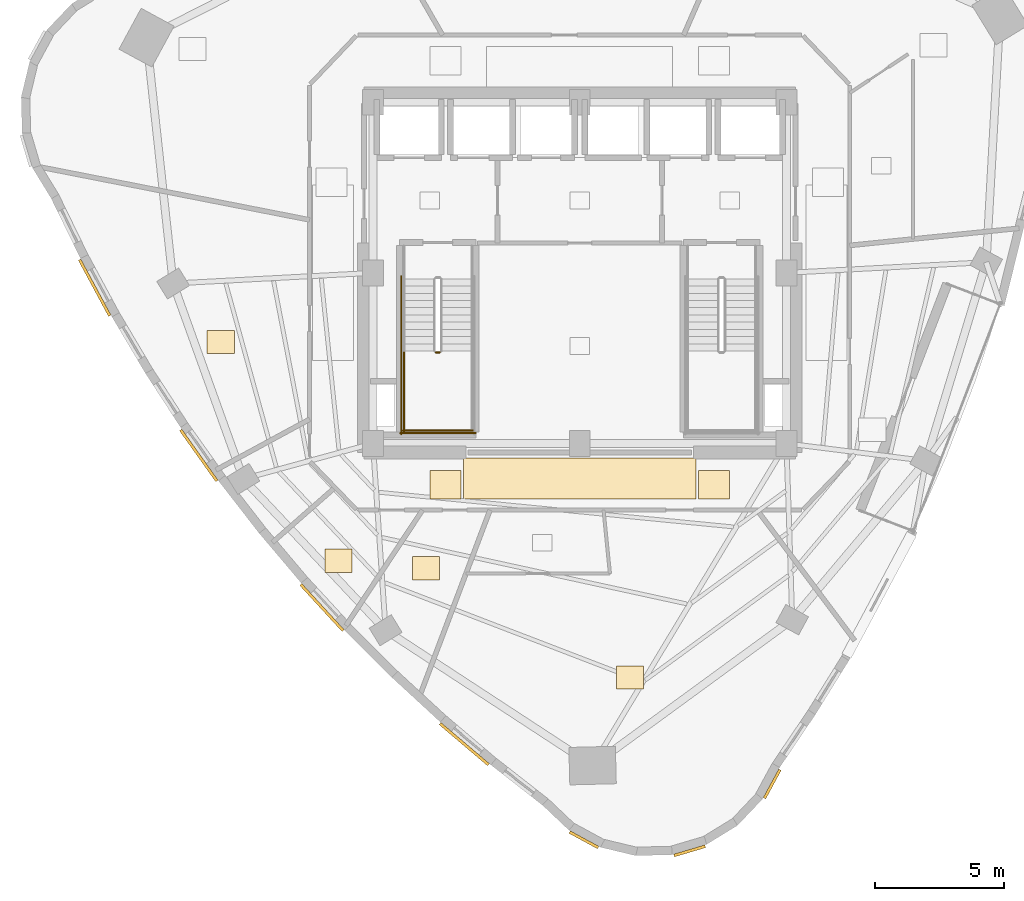
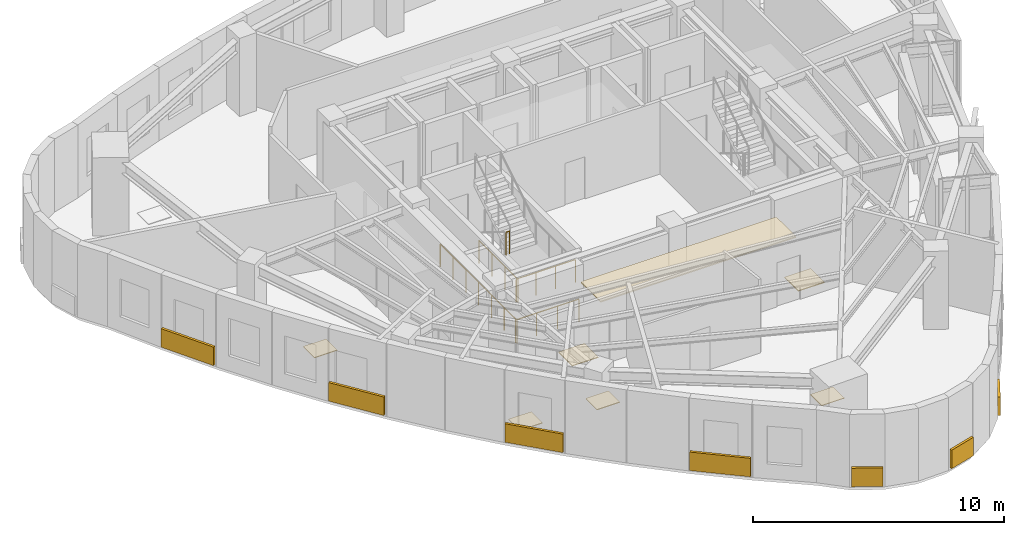
# One storey, part 8 of 10: 14 coverings, 5 railings.
"""IFC4 building model written with IfcOpenShell, lengths in metres."""

from ifc_helpers import new_model, si_unit, direction, frame, origin, origin_2d, place, context, subcontext, project, spatial, rectangle, circle, extrude, material, layer, layer_set, type_object, element, save


model = new_model("IFC4")

# Units and contexts
model_context = context("Model", 3, precision=1e-05, world=origin(), true_north=direction((0.0, 1.0)))
body_context = subcontext(model_context, "Body", "Model", "MODEL_VIEW")
ifc_project = project(units=[si_unit("LENGTHUNIT", "METRE"), si_unit("AREAUNIT", "SQUARE_METRE"), si_unit("VOLUMEUNIT", "CUBIC_METRE"), si_unit("PLANEANGLEUNIT", "RADIAN"), si_unit("MASSUNIT", "GRAM", prefix="KILO")], contexts=[model_context])

# Site, building, storey
site_placement = place(None, origin())
site = spatial("IfcSite", under=ifc_project, at=site_placement, CompositionType="ELEMENT")
building_placement = place(site_placement, origin())
building = spatial("IfcBuilding", under=site, at=building_placement, Name="Ndelora Gate Hotel", CompositionType="ELEMENT")
storey_placement = place(building_placement, frame((0.0, 0.0, 239.75)))
storey = spatial("IfcBuildingStorey", under=building, at=storey_placement, Name="L60", CompositionType="ELEMENT", Elevation=239.75)

# Coverings
ifc_material_1 = material(Name="Perforated Acoustic Gypsum Board", Category="gypsum")
ifc_layer_1 = layer(ifc_material_1, 0.054931640625)
ifc_layer_set_1 = layer_set([ifc_layer_1], Name="Perforated Acoustic Gypsum Board")
covering_type_1 = type_object("IfcCoveringType", Name="COV-CEIL-AC60", PredefinedType="CEILING", material=ifc_layer_set_1)
covering_1_placement = place(storey_placement, frame((0.0, -7.9599609375, 2.65234375), z_axis=(0.0, 0.0, 1.0), x_axis=(1.0, 0.0, 0.0)))
element("IfcCovering", 1, at=covering_1_placement, inside=storey, type_object=covering_type_1, Name="L60 Guest Corridor Acoustic Ceiling S", PredefinedType="CEILING", context=body_context, shape_type="SweptSolid", body=[
    extrude(rectangle(XDim=9.0, YDim=1.580078125, at=origin_2d()), origin(), (0.0, 0.0, 1.0), 0.054931640625),
])
ifc_material_2 = material(Name="Terracotta Fired Clay Brick Slip Cladding", Category="masonry")
ifc_layer_2 = layer(ifc_material_2, 0.110107421875)
ifc_layer_set_2 = layer_set([ifc_layer_2], Name="Terracotta Fired Clay Brick Slip Cladding")
covering_type_2 = type_object("IfcCoveringType", Name="COV-CLAD-BRK", PredefinedType="CLADDING", material=ifc_layer_set_2)
covering_2_placement = place(storey_placement, frame((-18.765380859375, -0.577392578125, 0.10009765625), z_axis=(0.0, 0.0, 1.0), x_axis=(-0.474241874114, 0.880394596097, 0.0)))
element("IfcCovering", 2, at=covering_2_placement, inside=storey, type_object=covering_type_2, Name="L60 Rounded-Corner Brick Cladding Band 10", PredefinedType="CLADDING", context=body_context, shape_type="SweptSolid", body=[
    extrude(rectangle(XDim=2.4599609375, YDim=0.110107421875, at=origin_2d()), origin(), (0.0, 0.0, 1.0), 0.89990234375),
])
covering_3_placement = place(storey_placement, frame((-14.739990234375, -7.063232421875, 0.10009765625), z_axis=(0.0, 0.0, 1.0), x_axis=(-0.579281172343, 0.815127795729, 0.0)))
element("IfcCovering", 3, at=covering_3_placement, inside=storey, type_object=covering_type_2, Name="L60 Rounded-Corner Brick Cladding Band 13", PredefinedType="CLADDING", context=body_context, shape_type="SweptSolid", body=[
    extrude(rectangle(XDim=2.4208984375, YDim=0.110107421875, at=origin_2d()), origin(), (0.0, 0.0, 1.0), 0.89990234375),
])
covering_4_placement = place(storey_placement, frame((-9.9736328125, -12.949462890625, 0.10009765625), z_axis=(0.0, 0.0, 1.0), x_axis=(-0.676875969683, 0.73609708712, 0.0)))
element("IfcCovering", 4, at=covering_4_placement, inside=storey, type_object=covering_type_2, Name="L60 Rounded-Corner Brick Cladding Band 16", PredefinedType="CLADDING", context=body_context, shape_type="SweptSolid", body=[
    extrude(rectangle(XDim=2.419921875, YDim=0.110107421875, at=origin_2d()), origin(), (0.0, 0.0, 1.0), 0.89990234375),
])
covering_5_placement = place(storey_placement, frame((-4.466552734375, -18.235107421875, 0.10009765625), z_axis=(0.0, 0.0, 1.0), x_axis=(-0.762555431968, 0.646922880393, 0.0)))
element("IfcCovering", 5, at=covering_5_placement, inside=storey, type_object=covering_type_2, Name="L60 Rounded-Corner Brick Cladding Band 19", PredefinedType="CLADDING", context=body_context, shape_type="SweptSolid", body=[
    extrude(rectangle(XDim=2.4599609375, YDim=0.110107421875, at=origin_2d()), origin(), (0.0, 0.0, 1.0), 0.89990234375),
])
covering_6_placement = place(storey_placement, frame((0.162109375, -21.9365234375, 0.10009765625), z_axis=(0.0, 0.0, 1.0), x_axis=(-0.878817112662, 0.47715876026, 0.0)))
element("IfcCovering", 6, at=covering_6_placement, inside=storey, type_object=covering_type_2, Name="L60 Rounded-Corner Brick Cladding Band 22", PredefinedType="CLADDING", context=body_context, shape_type="SweptSolid", body=[
    extrude(rectangle(XDim=1.257080078125, YDim=0.110107421875, at=origin_2d()), origin(), (0.0, 0.0, 1.0), 0.89990234375),
])
covering_7_placement = place(storey_placement, frame((4.252685546875, -22.366455078125, 0.10009765625), z_axis=(0.0, 0.0, 1.0), x_axis=(0.958819734868, 0.284015344704, 0.0)))
element("IfcCovering", 7, at=covering_7_placement, inside=storey, type_object=covering_type_2, Name="L60 Rounded-Corner Brick Cladding Band 25", PredefinedType="CLADDING", context=body_context, shape_type="SweptSolid", body=[
    extrude(rectangle(XDim=1.258056640625, YDim=0.110107421875, at=origin_2d()), origin(), (0.0, 0.0, 1.0), 0.89990234375),
])
covering_8_placement = place(storey_placement, frame((7.44921875, -19.778076171875, 0.10009765625), z_axis=(0.0, 0.0, 1.0), x_axis=(0.47715876026, 0.878817112662, 0.0)))
element("IfcCovering", 8, at=covering_8_placement, inside=storey, type_object=covering_type_2, Name="L60 Rounded-Corner Brick Cladding Band 28", PredefinedType="CLADDING", context=body_context, shape_type="SweptSolid", body=[
    extrude(rectangle(XDim=1.257080078125, YDim=0.110107421875, at=origin_2d()), origin(), (0.0, 0.0, 1.0), 0.89990234375),
])
ifc_material_3 = material(Name="Engineered Highland Oak Parquet", Category="wood")
ifc_layer_3 = layer(ifc_material_3, 0.030029296875)
ifc_layer_set_3 = layer_set([ifc_layer_3], Name="Engineered Highland Oak Parquet")
covering_type_3 = type_object("IfcCoveringType", Name="COV-FLR-PARQ", PredefinedType="FLOORING", material=ifc_layer_set_3)
for number, where, z_axis, x_axis, name in (
    (9, (1.947021484375, -15.656494140625, 0.0), (0.0, 0.0, 1.0), (1.0, 0.0, 0.0), "L60 Grand Highland Presidential Suite 6301 Oak Parquet Flooring"),
    (10, (-13.88671875, -2.67431640625, 0.0), (0.0, 0.0, 1.0), (1.0, 0.0, 0.0), "L60 Private Chef Service Kitchen Oak Parquet Flooring"),
    (11, (-9.330810546875, -11.140380859375, 0.0), (0.0, 0.0, 1.0), (1.0, 0.0, 0.0), "L60 Housekeeping and Linen Room Oak Parquet Flooring"),
    (12, (-5.94384765625, -11.4296875, 0.0), (0.0, 0.0, 1.0), (1.0, 0.0, 0.0), "L60 Accessible WC Oak Parquet Flooring"),
):
    element("IfcCovering", number, at=place(storey_placement, frame(where, z_axis=z_axis, x_axis=x_axis)), inside=storey, type_object=covering_type_3, Name=name, PredefinedType="FLOORING", context=body_context, shape_type="SweptSolid", body=[
        extrude(rectangle(XDim=1.050048828125, YDim=0.89990234375, at=origin_2d()), origin(), (0.0, 0.0, 1.0), 0.030029296875),
    ])
ifc_material_4 = material(Name="Polished Highland Stone Terrazzo", Category="masonry")
ifc_layer_4 = layer(ifc_material_4, 0.034912109375)
ifc_layer_set_4 = layer_set([ifc_layer_4], Name="Polished Highland Stone Terrazzo")
covering_type_4 = type_object("IfcCoveringType", Name="COV-FLR-TERZ", PredefinedType="FLOORING", material=ifc_layer_set_4)
for number, where, z_axis, x_axis, name in (
    (13, (-5.199951171875, -8.199951171875, 0.0), (0.0, 0.0, 1.0), (1.0, 0.0, 0.0), "L60 Corridor Threshold Terrazzo Inlay SW"),
    (14, (5.199951171875, -8.199951171875, 0.0), (0.0, 0.0, 1.0), (1.0, 0.0, 0.0), "L60 Corridor Threshold Terrazzo Inlay SE"),
):
    element("IfcCovering", number, at=place(storey_placement, frame(where, z_axis=z_axis, x_axis=x_axis)), inside=storey, type_object=covering_type_4, Name=name, PredefinedType="FLOORING", context=body_context, shape_type="SweptSolid", body=[
        extrude(rectangle(XDim=1.199951171875, YDim=1.10009765625, at=origin_2d()), origin(), (0.0, 0.0, 1.0), 0.034912109375),
    ])

# Railings
ifc_material_5 = material(Name="Painted Galvanized Steel Balustrade", Category="steel")
ifc_layer_5 = layer(ifc_material_5, 0.06005859375)
ifc_layer_set_5 = layer_set([ifc_layer_5], Name="Painted Galvanized Steel Balustrade")
railing_type = type_object("IfcRailingType", Name="RL-STAIR-GD", PredefinedType="GUARDRAIL", material=ifc_layer_set_5)
railing_1_placement = place(storey_placement, frame((-5.570068359375, -3.080078125, 1.89990234375)))
element("IfcRailing", 15, at=railing_1_placement, inside=storey, type_object=railing_type, Name="L60 ST4 stair guard 2", PredefinedType="GUARDRAIL", context=body_context, shape_type="SweptSolid", body=[
    extrude(circle(Radius=0.02392578125, at=origin_2d()), frame((0.0, 0.0, 1.10595703125), z_axis=(1.0, 0.0, 0.0), x_axis=(0.0, 1.0, 0.0)), (0.0, 0.0, 1.0), 0.16015625),
    extrude(circle(Radius=0.02099609375, at=origin_2d()), origin(), (0.0, 0.0, 1.0), 1.081787109375),
    extrude(circle(Radius=0.02099609375, at=origin_2d()), frame((0.16015625, 0.0, 0.0)), (0.0, 0.0, 1.0), 1.081787109375),
])
railing_2_placement = place(storey_placement, frame((-6.800048828125, -3.030029296875, 1.89990234375)))
element("IfcRailing", 16, at=railing_2_placement, inside=storey, type_object=railing_type, Name="L60 ST4 stair guard 3", PredefinedType="GUARDRAIL", context=body_context, shape_type="SweptSolid", body=[
    extrude(circle(Radius=0.02392578125, at=origin_2d()), frame((0.0, 0.0, 1.10595703125), z_axis=(0.0, -1.0, 0.0), x_axis=(1.0, 0.0, 0.0)), (0.0, 0.0, 1.0), 3.119873046875),
    extrude(circle(Radius=0.02099609375, at=origin_2d()), origin(), (0.0, 0.0, 1.0), 1.081787109375),
    extrude(circle(Radius=0.02099609375, at=origin_2d()), frame((0.0, -1.0400390625, 0.0)), (0.0, 0.0, 1.0), 1.081787109375),
    extrude(circle(Radius=0.02099609375, at=origin_2d()), frame((0.0, -2.079833984375, 0.0)), (0.0, 0.0, 1.0), 1.081787109375),
    extrude(circle(Radius=0.02099609375, at=origin_2d()), frame((0.0, -3.119873046875, 0.0)), (0.0, 0.0, 1.0), 1.081787109375),
])
railing_3_placement = place(storey_placement, frame((-6.85009765625, -6.10009765625, 1.89990234375)))
element("IfcRailing", 17, at=railing_3_placement, inside=storey, type_object=railing_type, Name="L60 ST4 stair guard 5", PredefinedType="GUARDRAIL", context=body_context, shape_type="SweptSolid", body=[
    extrude(circle(Radius=0.02392578125, at=origin_2d()), frame((0.0, 0.0, 1.10595703125), z_axis=(1.0, 0.0, 0.0), x_axis=(0.0, 1.0, 0.0)), (0.0, 0.0, 1.0), 2.72021484375),
    extrude(circle(Radius=0.02099609375, at=origin_2d()), origin(), (0.0, 0.0, 1.0), 1.081787109375),
    extrude(circle(Radius=0.02099609375, at=origin_2d()), frame((0.90673828125, 0.0, 0.0)), (0.0, 0.0, 1.0), 1.081787109375),
    extrude(circle(Radius=0.02099609375, at=origin_2d()), frame((1.8134765625, 0.0, 0.0)), (0.0, 0.0, 1.0), 1.081787109375),
    extrude(circle(Radius=0.02099609375, at=origin_2d()), frame((2.72021484375, 0.0, 0.0)), (0.0, 0.0, 1.0), 1.081787109375),
])
railing_4_placement = place(storey_placement, frame((-6.89990234375, -0.1298828125, 0.0)))
element("IfcRailing", 18, at=railing_4_placement, inside=storey, type_object=railing_type, Name="L60 ST4 stair guard 10", PredefinedType="GUARDRAIL", context=body_context, shape_type="SweptSolid", body=[
    extrude(circle(Radius=0.02392578125, at=origin_2d()), frame((0.0, 0.0, 1.10595703125), z_axis=(0.0, -1.0, 0.0), x_axis=(1.0, 0.0, 0.0)), (0.0, 0.0, 1.0), 6.1201171875),
    extrude(circle(Radius=0.02099609375, at=origin_2d()), origin(), (0.0, 0.0, 1.0), 1.081787109375),
    extrude(circle(Radius=0.02099609375, at=origin_2d()), frame((0.0, -1.02001953125, 0.0)), (0.0, 0.0, 1.0), 1.081787109375),
    extrude(circle(Radius=0.02099609375, at=origin_2d()), frame((0.0, -2.0400390625, 0.0)), (0.0, 0.0, 1.0), 1.081787109375),
    extrude(circle(Radius=0.02099609375, at=origin_2d()), frame((0.0, -3.06005859375, 0.0)), (0.0, 0.0, 1.0), 1.081787109375),
    extrude(circle(Radius=0.02099609375, at=origin_2d()), frame((0.0, -4.080078125, 0.0)), (0.0, 0.0, 1.0), 1.081787109375),
    extrude(circle(Radius=0.02099609375, at=origin_2d()), frame((0.0, -5.10009765625, 0.0)), (0.0, 0.0, 1.0), 1.081787109375),
    extrude(circle(Radius=0.02099609375, at=origin_2d()), frame((0.0, -6.1201171875, 0.0)), (0.0, 0.0, 1.0), 1.081787109375),
])
railing_5_placement = place(storey_placement, frame((-6.949951171875, -6.199951171875, 0.0)))
element("IfcRailing", 19, at=railing_5_placement, inside=storey, type_object=railing_type, Name="L60 ST4 stair guard 12", PredefinedType="GUARDRAIL", context=body_context, shape_type="SweptSolid", body=[
    extrude(circle(Radius=0.02392578125, at=origin_2d()), frame((0.0, 0.0, 1.10595703125), z_axis=(1.0, 0.0, 0.0), x_axis=(0.0, 1.0, 0.0)), (0.0, 0.0, 1.0), 2.919921875),
    extrude(circle(Radius=0.02099609375, at=origin_2d()), origin(), (0.0, 0.0, 1.0), 1.081787109375),
    extrude(circle(Radius=0.02099609375, at=origin_2d()), frame((0.973388671875, 0.0, 0.0)), (0.0, 0.0, 1.0), 1.081787109375),
    extrude(circle(Radius=0.02099609375, at=origin_2d()), frame((1.946533203125, 0.0, 0.0)), (0.0, 0.0, 1.0), 1.081787109375),
    extrude(circle(Radius=0.02099609375, at=origin_2d()), frame((2.919921875, 0.0, 0.0)), (0.0, 0.0, 1.0), 1.081787109375),
])

save(model, "model.ifc")
